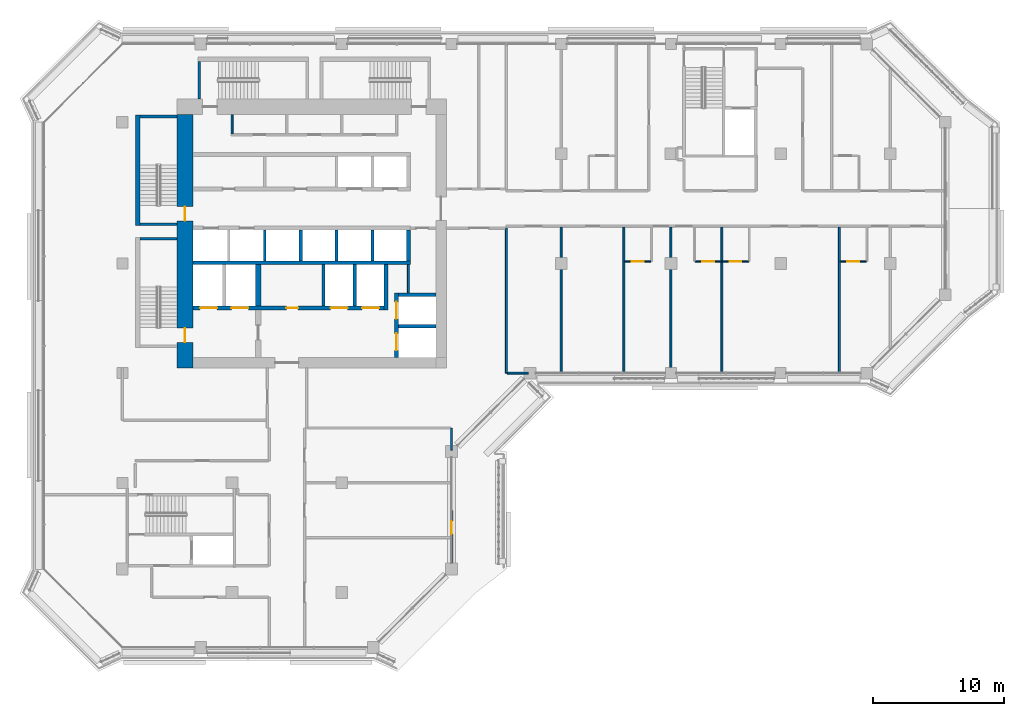
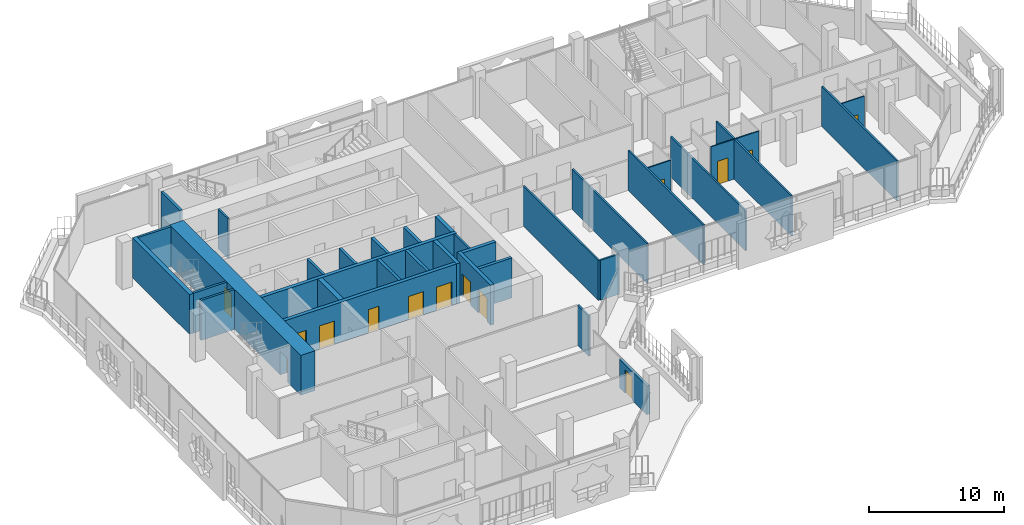
# One storey, part 11 of 22: 34 walls, 14 doors, 14 openings.
"""IFC4 building model written with IfcOpenShell, lengths in metres."""

from ifc_helpers import new_model, si_unit, direction, frame, frame_2d, origin, place, context, subcontext, project, spatial, rectangle, extrude, material, layer, layer_set, type_object, element, fill, save


model = new_model("IFC4")

# Units and contexts
model_context = context("Model", 3, precision=1e-05, world=origin(), true_north=direction((0.0, 1.0)))
body_context = subcontext(model_context, "Body", "Model", "MODEL_VIEW")
ifc_project = project(units=[si_unit("LENGTHUNIT", "METRE"), si_unit("AREAUNIT", "SQUARE_METRE"), si_unit("VOLUMEUNIT", "CUBIC_METRE"), si_unit("PLANEANGLEUNIT", "RADIAN"), si_unit("MASSUNIT", "GRAM", prefix="KILO")], contexts=[model_context])

# Site, building, storey
site_placement = place(None, origin())
site = spatial("IfcSite", under=ifc_project, at=site_placement, CompositionType="ELEMENT")
building_placement = place(site_placement, origin())
building = spatial("IfcBuilding", under=site, at=building_placement, Name="Kawkab Arch Medical Tower", CompositionType="ELEMENT")
storey_placement = place(building_placement, frame((0.0, 0.0, 251.60009765625)))
storey = spatial("IfcBuildingStorey", under=building, at=storey_placement, Name="L58", CompositionType="ELEMENT", Elevation=251.60009765625)

# Wall, openings, doors
ifc_material_1 = material(Name="Concrete C50/60", Category="concrete")
ifc_layer_1 = layer(ifc_material_1, 1.199951171875)
ifc_layer_set_1 = layer_set([ifc_layer_1], Name="Concrete C50/60")
wall_type_1 = type_object("IfcWallType", Name="Core ring wall 1200 C50/60", PredefinedType="SHEAR", material=ifc_layer_set_1)
wall_1_placement = place(storey_placement, frame((4.800048828125, -24.800048828125, 0.0), z_axis=(0.0, 0.0, 1.0), x_axis=(0.0, 1.0, 0.0)))
wall_1 = element("IfcWall", 1, at=wall_1_placement, inside=storey, type_object=wall_type_1, Name="L58 core wall", PredefinedType="SHEAR", context=body_context, shape_type="SweptSolid", body=[
    extrude(rectangle(XDim=19.400146484375, YDim=1.199951171875, at=frame_2d((9.7001953125, 0.0))), origin(), (0.0, 0.0, 1.0), 3.599853515625),
])
opening_1_placement = place(wall_1_placement, frame((11.25, 0.0, 0.0)))
opening_1 = element("IfcOpeningElement", 2, at=opening_1_placement, cuts=wall_1, Name="Opening SD", PredefinedType="OPENING", context=body_context, shape_type="SweptSolid", body=[
    extrude(rectangle(XDim=1.10009765625, YDim=2.10009765625, at=frame_2d((0.550048828125, 1.050048828125))), frame((0.0, 0.60986328125, 0.0), z_axis=(0.0, -1.0, 0.0), x_axis=(1.0, 0.0, 0.0)), (0.0, 0.0, 1.0), 1.219970703125),
])
opening_2_placement = place(wall_1_placement, frame((1.949951171875, 0.0, 0.0)))
opening_2 = element("IfcOpeningElement", 3, at=opening_2_placement, cuts=wall_1, Name="Opening SD", PredefinedType="OPENING", context=body_context, shape_type="SweptSolid", body=[
    extrude(rectangle(XDim=1.10009765625, YDim=2.10009765625, at=frame_2d((0.550048828125, 1.050048828125))), frame((0.0, 0.60986328125, 0.0), z_axis=(0.0, -1.0, 0.0), x_axis=(1.0, 0.0, 0.0)), (0.0, 0.0, 1.0), 1.219970703125),
])
ifc_material_2 = material(Name="Hollow metal fire door leaf")
door_type_1 = type_object("IfcDoorType", Name="Exit stair door 1100", OperationType="SINGLE_SWING_LEFT", PredefinedType="DOOR", material=ifc_material_2)
door_1_placement = place(opening_1_placement, origin())
door_1 = element("IfcDoor", 4, at=door_1_placement, inside=storey, type_object=door_type_1, Name="L58 Exit stair ST1 door", OperationType="SINGLE_SWING_LEFT", OverallHeight=2.10009765625, OverallWidth=1.10009765625, PredefinedType="DOOR", context=body_context, shape_type="SweptSolid", body=[
    extrude(rectangle(XDim=1.10009765625, YDim=2.10009765625, at=frame_2d((0.550048828125, 1.050048828125))), frame((0.0, 0.02490234375, 0.0), z_axis=(0.0, -1.0, 0.0), x_axis=(1.0, 0.0, 0.0)), (0.0, 0.0, 1.0), 0.050048828125),
])
fill(opening_1, door_1)
door_2_placement = place(opening_2_placement, origin())
door_2 = element("IfcDoor", 5, at=door_2_placement, inside=storey, type_object=door_type_1, Name="L58 Exit stair ST2 door", OperationType="SINGLE_SWING_LEFT", OverallHeight=2.10009765625, OverallWidth=1.10009765625, PredefinedType="DOOR", context=body_context, shape_type="SweptSolid", body=[
    extrude(rectangle(XDim=1.10009765625, YDim=2.10009765625, at=frame_2d((0.550048828125, 1.050048828125))), frame((0.0, 0.02490234375, 0.0), z_axis=(0.0, -1.0, 0.0), x_axis=(1.0, 0.0, 0.0)), (0.0, 0.0, 1.0), 0.050048828125),
])
fill(opening_2, door_2)

# Walls
ifc_material_3 = material(Name="Gypsum board on steel studs", Category="steel")
ifc_layer_2 = layer(ifc_material_3, 0.14990234375)
ifc_layer_set_2 = layer_set([ifc_layer_2], Name="Gypsum board on steel studs")
wall_type_2 = type_object("IfcWallType", Name="Core room partition 150", PredefinedType="PARTITIONING", material=ifc_layer_set_2)
wall_2_placement = place(storey_placement, frame((21.89990234375, -19.050048828125, 0.0), z_axis=(0.0, 0.0, 1.0), x_axis=(0.0, 1.0, 0.0)))
element("IfcWall", 6, at=wall_2_placement, inside=storey, type_object=wall_type_2, Name="L58 core room partition", PredefinedType="PARTITIONING", context=body_context, shape_type="SweptSolid", body=[
    extrude(rectangle(XDim=2.150146484375, YDim=0.14990234375, at=frame_2d((1.0751953125, 0.0))), origin(), (0.0, 0.0, 1.0), 3.599853515625),
])
wall_3_placement = place(storey_placement, frame((8.39990234375, -6.875, 0.0), z_axis=(0.0, 0.0, 1.0), x_axis=(0.0, 1.0, 0.0)))
element("IfcWall", 7, at=wall_3_placement, inside=storey, type_object=wall_type_2, Name="L58 core room partition", PredefinedType="PARTITIONING", context=body_context, shape_type="SweptSolid", body=[
    extrude(rectangle(XDim=1.47509765625, YDim=0.14990234375, at=frame_2d((0.737548828125, 0.0))), origin(), (0.0, 0.0, 1.0), 3.599853515625),
])
ifc_material_4 = material(Name="Concrete C60/75", Category="concrete")
ifc_layer_3 = layer(ifc_material_4, 0.25)
ifc_layer_set_3 = layer_set([ifc_layer_3], Name="Concrete C60/75")
wall_type_3 = type_object("IfcWallType", Name="Core shear wall 250 C60/75", PredefinedType="SHEAR", material=ifc_layer_set_3)
wall_4_placement = place(storey_placement, frame((21.14990234375, -21.60009765625, 0.0), z_axis=(0.0, 0.0, 1.0), x_axis=(1.0, 0.0, 0.0)))
element("IfcWall", 8, at=wall_4_placement, inside=storey, type_object=wall_type_3, Name="L58 core shear wall", PredefinedType="SHEAR", context=body_context, shape_type="SweptSolid", body=[
    extrude(rectangle(XDim=2.85009765625, YDim=0.25, at=frame_2d((1.425048828125, 0.0))), origin(), (0.0, 0.0, 1.0), 3.599853515625),
])
for number, where, z_axis, x_axis, name in (
    (9, (15.39990234375, -20.050048828125, 0.0), (0.0, 0.0, 1.0), (0.0, 1.0, 0.0), "L58 core shear wall"),
    (10, (17.800048828125, -20.050048828125, 0.0), (0.0, 0.0, 1.0), (0.0, 1.0, 0.0), "L58 core shear wall"),
):
    element("IfcWall", number, at=place(storey_placement, frame(where, z_axis=z_axis, x_axis=x_axis)), inside=storey, type_object=wall_type_3, Name=name, PredefinedType="SHEAR", context=body_context, shape_type="SweptSolid", body=[
        extrude(rectangle(XDim=3.150146484375, YDim=0.25, at=frame_2d((1.5751953125, 0.0))), origin(), (0.0, 0.0, 1.0), 3.599853515625),
    ])
for number, where, z_axis, x_axis, name in (
    (11, (13.64990234375, -16.60009765625, 0.0), (0.0, 0.0, 1.0), (0.0, 1.0, 0.0), "L58 core shear wall"),
    (12, (16.39990234375, -16.60009765625, 0.0), (0.0, 0.0, 1.0), (0.0, 1.0, 0.0), "L58 core shear wall"),
    (13, (19.14990234375, -16.60009765625, 0.0), (0.0, 0.0, 1.0), (0.0, 1.0, 0.0), "L58 core shear wall"),
):
    element("IfcWall", number, at=place(storey_placement, frame(where, z_axis=z_axis, x_axis=x_axis)), inside=storey, type_object=wall_type_3, Name=name, PredefinedType="SHEAR", context=body_context, shape_type="SweptSolid", body=[
        extrude(rectangle(XDim=2.35009765625, YDim=0.25, at=frame_2d((1.175048828125, 0.0))), origin(), (0.0, 0.0, 1.0), 3.599853515625),
    ])
ifc_material_5 = material(Name="Concrete C60/75", Category="concrete")
ifc_layer_4 = layer(ifc_material_5, 0.300048828125)
ifc_layer_set_4 = layer_set([ifc_layer_4], Name="Concrete C60/75")
wall_type_4 = type_object("IfcWallType", Name="Core shear wall 300 C60/75", PredefinedType="SHEAR", material=ifc_layer_set_4)
wall_5_placement = place(storey_placement, frame((5.39990234375, -16.75, 0.0), z_axis=(0.0, 0.0, 1.0), x_axis=(1.0, 0.0, 0.0)))
element("IfcWall", 14, at=wall_5_placement, inside=storey, type_object=wall_type_4, Name="L58 core shear wall", PredefinedType="SHEAR", context=body_context, shape_type="SweptSolid", body=[
    extrude(rectangle(XDim=16.650146484375, YDim=0.300048828125, at=frame_2d((8.3251953125, 0.0))), origin(), (0.0, 0.0, 1.0), 3.599853515625),
])

# Wall, openings, doors
wall_6_placement = place(storey_placement, frame((5.39990234375, -20.199951171875, 0.0), z_axis=(0.0, 0.0, 1.0), x_axis=(1.0, 0.0, 0.0)))
wall_6 = element("IfcWall", 15, at=wall_6_placement, inside=storey, type_object=wall_type_4, Name="L58 core shear wall", PredefinedType="SHEAR", context=body_context, shape_type="SweptSolid", body=[
    extrude(rectangle(XDim=14.650146484375, YDim=0.300048828125, at=frame_2d((7.3251953125, 0.0))), origin(), (0.0, 0.0, 1.0), 3.599853515625),
])
opening_3_placement = place(wall_6_placement, frame((10.550048828125, 0.0, 0.0)))
opening_3 = element("IfcOpeningElement", 16, at=opening_3_placement, cuts=wall_6, Name="Opening LD2", PredefinedType="OPENING", context=body_context, shape_type="SweptSolid", body=[
    extrude(rectangle(XDim=1.300048828125, YDim=2.10009765625, at=frame_2d((0.64990234375, 1.050048828125))), frame((0.0, 0.159912109375, 0.0), z_axis=(0.0, -1.0, 0.0), x_axis=(1.0, 0.0, 0.0)), (0.0, 0.0, 1.0), 0.320068359375),
])
opening_4_placement = place(wall_6_placement, frame((12.949951171875, 0.0, 0.0)))
opening_4 = element("IfcOpeningElement", 17, at=opening_4_placement, cuts=wall_6, Name="Opening LD2", PredefinedType="OPENING", context=body_context, shape_type="SweptSolid", body=[
    extrude(rectangle(XDim=1.300048828125, YDim=2.10009765625, at=frame_2d((0.64990234375, 1.050048828125))), frame((0.0, 0.159912109375, 0.0), z_axis=(0.0, -1.0, 0.0), x_axis=(1.0, 0.0, 0.0)), (0.0, 0.0, 1.0), 0.320068359375),
])
opening_5_placement = place(wall_6_placement, frame((0.550048828125, 0.0, 0.0)))
opening_5 = element("IfcOpeningElement", 18, at=opening_5_placement, cuts=wall_6, Name="Opening LD2", PredefinedType="OPENING", context=body_context, shape_type="SweptSolid", body=[
    extrude(rectangle(XDim=1.300048828125, YDim=2.10009765625, at=frame_2d((0.64990234375, 1.050048828125))), frame((0.0, 0.159912109375, 0.0), z_axis=(0.0, -1.0, 0.0), x_axis=(1.0, 0.0, 0.0)), (0.0, 0.0, 1.0), 0.320068359375),
])
opening_6_placement = place(wall_6_placement, frame((2.949951171875, 0.0, 0.0)))
opening_6 = element("IfcOpeningElement", 19, at=opening_6_placement, cuts=wall_6, Name="Opening LD2", PredefinedType="OPENING", context=body_context, shape_type="SweptSolid", body=[
    extrude(rectangle(XDim=1.300048828125, YDim=2.10009765625, at=frame_2d((0.64990234375, 1.050048828125))), frame((0.0, 0.159912109375, 0.0), z_axis=(0.0, -1.0, 0.0), x_axis=(1.0, 0.0, 0.0)), (0.0, 0.0, 1.0), 0.320068359375),
])
opening_7_placement = place(wall_6_placement, frame((7.14990234375, 0.0, 0.0)))
opening_7 = element("IfcOpeningElement", 20, at=opening_7_placement, cuts=wall_6, Name="Opening RD", PredefinedType="OPENING", context=body_context, shape_type="SweptSolid", body=[
    extrude(rectangle(XDim=0.89990234375, YDim=2.10009765625, at=frame_2d((0.449951171875, 1.050048828125))), frame((0.0, 0.159912109375, 0.0), z_axis=(0.0, -1.0, 0.0), x_axis=(1.0, 0.0, 0.0)), (0.0, 0.0, 1.0), 0.320068359375),
])
ifc_material_6 = material(Name="Hollow metal fire door leaf")
door_type_2 = type_object("IfcDoorType", Name="Core room door 900", OperationType="SINGLE_SWING_LEFT", PredefinedType="DOOR", material=ifc_material_6)
door_3_placement = place(opening_7_placement, origin())
door_3 = element("IfcDoor", 21, at=door_3_placement, inside=storey, type_object=door_type_2, Name="L58 General store door", OperationType="SINGLE_SWING_LEFT", OverallHeight=2.10009765625, OverallWidth=0.89990234375, PredefinedType="DOOR", context=body_context, shape_type="SweptSolid", body=[
    extrude(rectangle(XDim=0.89990234375, YDim=2.10009765625, at=frame_2d((0.449951171875, 1.050048828125))), frame((0.0, 0.02490234375, 0.0), z_axis=(0.0, -1.0, 0.0), x_axis=(1.0, 0.0, 0.0)), (0.0, 0.0, 1.0), 0.050048828125),
])
fill(opening_7, door_3)
ifc_material_7 = material(Name="Stainless steel lift door leaf", Category="steel")
door_type_3 = type_object("IfcDoorType", Name="Lift landing door 1300", OperationType="DOUBLE_DOOR_SLIDING", PredefinedType="DOOR", material=ifc_material_7)
door_4_placement = place(opening_3_placement, origin())
door_4 = element("IfcDoor", 22, at=door_4_placement, inside=storey, type_object=door_type_3, Name="L58 Lift landing door BD3", OperationType="DOUBLE_DOOR_SLIDING", OverallHeight=2.10009765625, OverallWidth=1.300048828125, PredefinedType="DOOR", context=body_context, shape_type="SweptSolid", body=[
    extrude(rectangle(XDim=1.300048828125, YDim=2.10009765625, at=frame_2d((0.64990234375, 1.050048828125))), frame((0.0, 0.02490234375, 0.0), z_axis=(0.0, -1.0, 0.0), x_axis=(1.0, 0.0, 0.0)), (0.0, 0.0, 1.0), 0.050048828125),
])
fill(opening_3, door_4)
door_5_placement = place(opening_4_placement, origin())
door_5 = element("IfcDoor", 23, at=door_5_placement, inside=storey, type_object=door_type_3, Name="L58 Lift landing door BD4", OperationType="DOUBLE_DOOR_SLIDING", OverallHeight=2.10009765625, OverallWidth=1.300048828125, PredefinedType="DOOR", context=body_context, shape_type="SweptSolid", body=[
    extrude(rectangle(XDim=1.300048828125, YDim=2.10009765625, at=frame_2d((0.64990234375, 1.050048828125))), frame((0.0, 0.02490234375, 0.0), z_axis=(0.0, -1.0, 0.0), x_axis=(1.0, 0.0, 0.0)), (0.0, 0.0, 1.0), 0.050048828125),
])
fill(opening_4, door_5)
door_6_placement = place(opening_5_placement, origin())
door_6 = element("IfcDoor", 24, at=door_6_placement, inside=storey, type_object=door_type_3, Name="L58 Lift landing door FL1", OperationType="DOUBLE_DOOR_SLIDING", OverallHeight=2.10009765625, OverallWidth=1.300048828125, PredefinedType="DOOR", context=body_context, shape_type="SweptSolid", body=[
    extrude(rectangle(XDim=1.300048828125, YDim=2.10009765625, at=frame_2d((0.64990234375, 1.050048828125))), frame((0.0, 0.02490234375, 0.0), z_axis=(0.0, -1.0, 0.0), x_axis=(1.0, 0.0, 0.0)), (0.0, 0.0, 1.0), 0.050048828125),
])
fill(opening_5, door_6)
door_7_placement = place(opening_6_placement, origin())
door_7 = element("IfcDoor", 25, at=door_7_placement, inside=storey, type_object=door_type_3, Name="L58 Lift landing door FL2", OperationType="DOUBLE_DOOR_SLIDING", OverallHeight=2.10009765625, OverallWidth=1.300048828125, PredefinedType="DOOR", context=body_context, shape_type="SweptSolid", body=[
    extrude(rectangle(XDim=1.300048828125, YDim=2.10009765625, at=frame_2d((0.64990234375, 1.050048828125))), frame((0.0, 0.02490234375, 0.0), z_axis=(0.0, -1.0, 0.0), x_axis=(1.0, 0.0, 0.0)), (0.0, 0.0, 1.0), 0.050048828125),
])
fill(opening_6, door_7)

# Walls
wall_7_placement = place(storey_placement, frame((20.199951171875, -20.35009765625, 0.0), z_axis=(0.0, 0.0, 1.0), x_axis=(0.0, 1.0, 0.0)))
element("IfcWall", 26, at=wall_7_placement, inside=storey, type_object=wall_type_4, Name="L58 core shear wall", PredefinedType="SHEAR", context=body_context, shape_type="SweptSolid", body=[
    extrude(rectangle(XDim=3.4501953125, YDim=0.300048828125, at=frame_2d((1.72509765625, 0.0))), origin(), (0.0, 0.0, 1.0), 3.599853515625),
])
wall_8_placement = place(storey_placement, frame((21.89990234375, -16.60009765625, 0.0), z_axis=(0.0, 0.0, 1.0), x_axis=(0.0, 1.0, 0.0)))
element("IfcWall", 27, at=wall_8_placement, inside=storey, type_object=wall_type_4, Name="L58 core shear wall", PredefinedType="SHEAR", context=body_context, shape_type="SweptSolid", body=[
    extrude(rectangle(XDim=2.35009765625, YDim=0.300048828125, at=frame_2d((1.175048828125, 0.0))), origin(), (0.0, 0.0, 1.0), 3.599853515625),
])
wall_9_placement = place(storey_placement, frame((21.14990234375, -19.199951171875, 0.0), z_axis=(0.0, 0.0, 1.0), x_axis=(1.0, 0.0, 0.0)))
element("IfcWall", 28, at=wall_9_placement, inside=storey, type_object=wall_type_4, Name="L58 core shear wall", PredefinedType="SHEAR", context=body_context, shape_type="SweptSolid", body=[
    extrude(rectangle(XDim=2.85009765625, YDim=0.300048828125, at=frame_2d((1.425048828125, 0.0))), origin(), (0.0, 0.0, 1.0), 3.599853515625),
])

# Wall, openings, doors
wall_10_placement = place(storey_placement, frame((21.0, -24.0, 0.0), z_axis=(0.0, 0.0, 1.0), x_axis=(0.0, 1.0, 0.0)))
wall_10 = element("IfcWall", 29, at=wall_10_placement, inside=storey, type_object=wall_type_4, Name="L58 core shear wall", PredefinedType="SHEAR", context=body_context, shape_type="SweptSolid", body=[
    extrude(rectangle(XDim=4.949951171875, YDim=0.300048828125, at=frame_2d((2.47509765625, 0.0))), origin(), (0.0, 0.0, 1.0), 3.599853515625),
])
opening_8_placement = place(wall_10_placement, frame((2.949951171875, 0.0, 0.0)))
opening_8 = element("IfcOpeningElement", 30, at=opening_8_placement, cuts=wall_10, Name="Opening LD2", PredefinedType="OPENING", context=body_context, shape_type="SweptSolid", body=[
    extrude(rectangle(XDim=1.300048828125, YDim=2.10009765625, at=frame_2d((0.64990234375, 1.050048828125))), frame((0.0, 0.159912109375, 0.0), z_axis=(0.0, -1.0, 0.0), x_axis=(1.0, 0.0, 0.0)), (0.0, 0.0, 1.0), 0.320068359375),
])
opening_9_placement = place(wall_10_placement, frame((0.550048828125, 0.0, 0.0)))
opening_9 = element("IfcOpeningElement", 31, at=opening_9_placement, cuts=wall_10, Name="Opening LD2", PredefinedType="OPENING", context=body_context, shape_type="SweptSolid", body=[
    extrude(rectangle(XDim=1.300048828125, YDim=2.10009765625, at=frame_2d((0.64990234375, 1.050048828125))), frame((0.0, 0.159912109375, 0.0), z_axis=(0.0, -1.0, 0.0), x_axis=(1.0, 0.0, 0.0)), (0.0, 0.0, 1.0), 0.320068359375),
])
door_8_placement = place(opening_8_placement, origin())
door_8 = element("IfcDoor", 32, at=door_8_placement, inside=storey, type_object=door_type_3, Name="L58 Lift landing door BD1", OperationType="DOUBLE_DOOR_SLIDING", OverallHeight=2.10009765625, OverallWidth=1.300048828125, PredefinedType="DOOR", context=body_context, shape_type="SweptSolid", body=[
    extrude(rectangle(XDim=1.300048828125, YDim=2.10009765625, at=frame_2d((0.64990234375, 1.050048828125))), frame((0.0, 0.02490234375, 0.0), z_axis=(0.0, -1.0, 0.0), x_axis=(1.0, 0.0, 0.0)), (0.0, 0.0, 1.0), 0.050048828125),
])
fill(opening_8, door_8)
door_9_placement = place(opening_9_placement, origin())
door_9 = element("IfcDoor", 33, at=door_9_placement, inside=storey, type_object=door_type_3, Name="L58 Lift landing door BD2", OperationType="DOUBLE_DOOR_SLIDING", OverallHeight=2.10009765625, OverallWidth=1.300048828125, PredefinedType="DOOR", context=body_context, shape_type="SweptSolid", body=[
    extrude(rectangle(XDim=1.300048828125, YDim=2.10009765625, at=frame_2d((0.64990234375, 1.050048828125))), frame((0.0, 0.02490234375, 0.0), z_axis=(0.0, -1.0, 0.0), x_axis=(1.0, 0.0, 0.0)), (0.0, 0.0, 1.0), 0.050048828125),
])
fill(opening_9, door_9)

# Wall
ifc_material_8 = material(Name="Concrete C60/75", Category="concrete")
ifc_layer_5 = layer(ifc_material_8, 0.39990234375)
ifc_layer_set_5 = layer_set([ifc_layer_5], Name="Concrete C60/75")
wall_type_5 = type_object("IfcWallType", Name="Core shear wall 400 C60/75", PredefinedType="SHEAR", material=ifc_layer_set_5)
wall_11_placement = place(storey_placement, frame((10.39990234375, -20.050048828125, 0.0), z_axis=(0.0, 0.0, 1.0), x_axis=(0.0, 1.0, 0.0)))
element("IfcWall", 34, at=wall_11_placement, inside=storey, type_object=wall_type_5, Name="L58 core shear wall", PredefinedType="SHEAR", context=body_context, shape_type="SweptSolid", body=[
    extrude(rectangle(XDim=3.150146484375, YDim=0.39990234375, at=frame_2d((1.5751953125, 0.0))), origin(), (0.0, 0.0, 1.0), 3.599853515625),
])

# Wall, opening, door
ifc_material_9 = material(Name="Bronze clad insulated wall panel")
ifc_layer_6 = layer(ifc_material_9, 0.25)
ifc_layer_set_6 = layer_set([ifc_layer_6], Name="Bronze clad insulated wall panel")
wall_type_6 = type_object("IfcWallType", Name="External wall bay 250", PredefinedType="SOLIDWALL", material=ifc_layer_set_6)
wall_12_placement = place(storey_placement, frame((25.199951171875, -39.75, 0.0), z_axis=(0.0, 0.0, 1.0), x_axis=(0.0, 1.0, 0.0)))
wall_12 = element("IfcWall", 35, at=wall_12_placement, inside=storey, type_object=wall_type_6, Name="External wall bay L58.R05.1.1", PredefinedType="SOLIDWALL", context=body_context, shape_type="SweptSolid", body=[
    extrude(rectangle(XDim=4.050048828125, YDim=0.25, at=frame_2d((2.02490234375, 0.0))), origin(), (0.0, 0.0, 1.0), 2.579833984375),
])
opening_10_placement = place(wall_12_placement, frame((2.22509765625, 0.0, 0.0)))
opening_10 = element("IfcOpeningElement", 36, at=opening_10_placement, cuts=wall_12, Name="Opening W53-701", PredefinedType="OPENING", context=body_context, shape_type="SweptSolid", body=[
    extrude(rectangle(XDim=1.0, YDim=2.10009765625, at=frame_2d((0.5, 1.050048828125))), frame((0.0, 0.135009765625, 0.0), z_axis=(0.0, -1.0, 0.0), x_axis=(1.0, 0.0, 0.0)), (0.0, 0.0, 1.0), 0.27001953125),
])
ifc_material_10 = material(Name="Bronze anodised aluminium door with tinted glass", Category="aluminium")
door_type_4 = type_object("IfcDoorType", Name="Single external door 1000 x 2100", OperationType="SINGLE_SWING_LEFT", PredefinedType="DOOR", material=ifc_material_10)
door_10_placement = place(opening_10_placement, origin())
door_10 = element("IfcDoor", 37, at=door_10_placement, inside=storey, type_object=door_type_4, Name="External door L58.R05.1.1", OperationType="SINGLE_SWING_LEFT", OverallHeight=2.10009765625, OverallWidth=1.0, PredefinedType="DOOR", context=body_context, shape_type="SweptSolid", body=[
    extrude(rectangle(XDim=1.0, YDim=2.10009765625, at=frame_2d((0.5, 1.050048828125))), frame((0.0, 0.02490234375, 0.0), z_axis=(0.0, -1.0, 0.0), x_axis=(1.0, 0.0, 0.0)), (0.0, 0.0, 1.0), 0.050048828125),
])
fill(opening_10, door_10)

# Wall
ifc_material_11 = material(Name="Dense concrete blockwork", Category="masonry")
ifc_layer_7 = layer(ifc_material_11, 0.199951171875)
ifc_layer_set_7 = layer_set([ifc_layer_7], Name="Dense concrete blockwork")
wall_type_7 = type_object("IfcWallType", Name="Lift shaft partition 200", PredefinedType="PARTITIONING", material=ifc_layer_set_7)
wall_13_placement = place(storey_placement, frame((10.89990234375, -16.60009765625, 0.0), z_axis=(0.0, 0.0, 1.0), x_axis=(0.0, 1.0, 0.0)))
element("IfcWall", 38, at=wall_13_placement, inside=storey, type_object=wall_type_7, Name="L58 lift shaft partition", PredefinedType="PARTITIONING", context=body_context, shape_type="SweptSolid", body=[
    extrude(rectangle(XDim=2.35009765625, YDim=0.199951171875, at=frame_2d((1.175048828125, 0.0))), origin(), (0.0, 0.0, 1.0), 3.599853515625),
])

# Wall, opening, door
ifc_material_12 = material(Name="Gypsum board partition on steel studs", Category="steel")
ifc_layer_8 = layer(ifc_material_12, 0.10009765625)
ifc_layer_set_8 = layer_set([ifc_layer_8], Name="Gypsum board partition on steel studs")
wall_type_8 = type_object("IfcWallType", Name="Partition 100", PredefinedType="PARTITIONING", material=ifc_layer_set_8)
wall_14_placement = place(storey_placement, frame((38.47509765625, -16.64990234375, 0.0), z_axis=(0.0, 0.0, 1.0), x_axis=(1.0, 0.0, 0.0)))
wall_14 = element("IfcWall", 39, at=wall_14_placement, inside=storey, type_object=wall_type_8, Name="Partition 100 w001", PredefinedType="PARTITIONING", context=body_context, shape_type="SweptSolid", body=[
    extrude(rectangle(XDim=1.974853515625, YDim=0.10009765625, at=frame_2d((0.9873046875, 0.0))), origin(), (0.0, 0.0, 1.0), 3.599853515625),
])
opening_11_placement = place(wall_14_placement, frame((0.52490234375, 0.0, 0.0)))
opening_11 = element("IfcOpeningElement", 40, at=opening_11_placement, cuts=wall_14, Name="Opening W53-005", PredefinedType="OPENING", context=body_context, shape_type="SweptSolid", body=[
    extrude(rectangle(XDim=0.89990234375, YDim=2.10009765625, at=frame_2d((0.449951171875, 1.050048828125))), frame((0.0, 0.06005859375, 0.0), z_axis=(0.0, -1.0, 0.0), x_axis=(1.0, 0.0, 0.0)), (0.0, 0.0, 1.0), 0.1201171875),
])
ifc_material_13 = material(Name="Timber door leaf", Category="wood")
door_type_5 = type_object("IfcDoorType", Name="Single door 900x2100", OperationType="NOTDEFINED", PredefinedType="DOOR", material=ifc_material_13)
door_11_placement = place(opening_11_placement, origin())
door_11 = element("IfcDoor", 41, at=door_11_placement, inside=storey, type_object=door_type_5, Name="Door W53-005", OperationType="SINGLE_SWING_LEFT", OverallHeight=2.10009765625, OverallWidth=0.89990234375, PredefinedType="DOOR", context=body_context, shape_type="SweptSolid", body=[
    extrude(rectangle(XDim=0.89990234375, YDim=2.10009765625, at=frame_2d((0.449951171875, 1.050048828125))), frame((0.0, 0.02490234375, 0.0), z_axis=(0.0, -1.0, 0.0), x_axis=(1.0, 0.0, 0.0)), (0.0, 0.0, 1.0), 0.050048828125),
])
fill(opening_11, door_11)

# Wall, openings, doors
wall_15_placement = place(storey_placement, frame((43.85009765625, -16.64990234375, 0.0), z_axis=(0.0, 0.0, 1.0), x_axis=(1.0, 0.0, 0.0)))
wall_15 = element("IfcWall", 42, at=wall_15_placement, inside=storey, type_object=wall_type_8, Name="Partition 100 w002", PredefinedType="PARTITIONING", context=body_context, shape_type="SweptSolid", body=[
    extrude(rectangle(XDim=4.099853515625, YDim=0.10009765625, at=frame_2d((2.0498046875, 0.0))), origin(), (0.0, 0.0, 1.0), 3.599853515625),
])
opening_12_placement = place(wall_15_placement, frame((0.550048828125, 0.0, 0.0)))
opening_12 = element("IfcOpeningElement", 43, at=opening_12_placement, cuts=wall_15, Name="Opening W53-006", PredefinedType="OPENING", context=body_context, shape_type="SweptSolid", body=[
    extrude(rectangle(XDim=0.89990234375, YDim=2.10009765625, at=frame_2d((0.449951171875, 1.050048828125))), frame((0.0, 0.06005859375, 0.0), z_axis=(0.0, -1.0, 0.0), x_axis=(1.0, 0.0, 0.0)), (0.0, 0.0, 1.0), 0.1201171875),
])
opening_13_placement = place(wall_15_placement, frame((2.64990234375, 0.0, 0.0)))
opening_13 = element("IfcOpeningElement", 44, at=opening_13_placement, cuts=wall_15, Name="Opening W53-007", PredefinedType="OPENING", context=body_context, shape_type="SweptSolid", body=[
    extrude(rectangle(XDim=0.89990234375, YDim=2.10009765625, at=frame_2d((0.449951171875, 1.050048828125))), frame((0.0, 0.06005859375, 0.0), z_axis=(0.0, -1.0, 0.0), x_axis=(1.0, 0.0, 0.0)), (0.0, 0.0, 1.0), 0.1201171875),
])
door_12_placement = place(opening_12_placement, origin())
door_12 = element("IfcDoor", 45, at=door_12_placement, inside=storey, type_object=door_type_5, Name="Door W53-006", OperationType="SINGLE_SWING_RIGHT", OverallHeight=2.10009765625, OverallWidth=0.89990234375, PredefinedType="DOOR", context=body_context, shape_type="SweptSolid", body=[
    extrude(rectangle(XDim=0.89990234375, YDim=2.10009765625, at=frame_2d((0.449951171875, 1.050048828125))), frame((0.0, 0.02490234375, 0.0), z_axis=(0.0, -1.0, 0.0), x_axis=(1.0, 0.0, 0.0)), (0.0, 0.0, 1.0), 0.050048828125),
])
fill(opening_12, door_12)
door_13_placement = place(opening_13_placement, origin())
door_13 = element("IfcDoor", 46, at=door_13_placement, inside=storey, type_object=door_type_5, Name="Door W53-007", OperationType="SINGLE_SWING_LEFT", OverallHeight=2.10009765625, OverallWidth=0.89990234375, PredefinedType="DOOR", context=body_context, shape_type="SweptSolid", body=[
    extrude(rectangle(XDim=0.89990234375, YDim=2.10009765625, at=frame_2d((0.449951171875, 1.050048828125))), frame((0.0, 0.02490234375, 0.0), z_axis=(0.0, -1.0, 0.0), x_axis=(1.0, 0.0, 0.0)), (0.0, 0.0, 1.0), 0.050048828125),
])
fill(opening_13, door_13)

# Wall, opening, door
wall_16_placement = place(storey_placement, frame((54.97509765625, -16.64990234375, 0.0), z_axis=(0.0, 0.0, 1.0), x_axis=(1.0, 0.0, 0.0)))
wall_16 = element("IfcWall", 47, at=wall_16_placement, inside=storey, type_object=wall_type_8, Name="Partition 100 w003", PredefinedType="PARTITIONING", context=body_context, shape_type="SweptSolid", body=[
    extrude(rectangle(XDim=1.974853515625, YDim=0.10009765625, at=frame_2d((0.9873046875, 0.0))), origin(), (0.0, 0.0, 1.0), 3.599853515625),
])
opening_14_placement = place(wall_16_placement, frame((0.52490234375, 0.0, 0.0)))
opening_14 = element("IfcOpeningElement", 48, at=opening_14_placement, cuts=wall_16, Name="Opening W53-008", PredefinedType="OPENING", context=body_context, shape_type="SweptSolid", body=[
    extrude(rectangle(XDim=0.89990234375, YDim=2.10009765625, at=frame_2d((0.449951171875, 1.050048828125))), frame((0.0, 0.06005859375, 0.0), z_axis=(0.0, -1.0, 0.0), x_axis=(1.0, 0.0, 0.0)), (0.0, 0.0, 1.0), 0.1201171875),
])
door_14_placement = place(opening_14_placement, origin())
door_14 = element("IfcDoor", 49, at=door_14_placement, inside=storey, type_object=door_type_5, Name="Door W53-008", OperationType="SINGLE_SWING_RIGHT", OverallHeight=2.10009765625, OverallWidth=0.89990234375, PredefinedType="DOOR", context=body_context, shape_type="SweptSolid", body=[
    extrude(rectangle(XDim=0.89990234375, YDim=2.10009765625, at=frame_2d((0.449951171875, 1.050048828125))), frame((0.0, 0.02490234375, 0.0), z_axis=(0.0, -1.0, 0.0), x_axis=(1.0, 0.0, 0.0)), (0.0, 0.0, 1.0), 0.050048828125),
])
fill(opening_14, door_14)

# Walls
ifc_material_14 = material(Name="Gypsum board partition on steel studs, mineral wool", Category="steel")
ifc_layer_9 = layer(ifc_material_14, 0.14990234375)
ifc_layer_set_9 = layer_set([ifc_layer_9], Name="Gypsum board partition on steel studs, mineral wool")
wall_type_9 = type_object("IfcWallType", Name="Partition 150", PredefinedType="PARTITIONING", material=ifc_layer_set_9)
wall_17_placement = place(storey_placement, frame((29.47509765625, -25.199951171875, 0.0), z_axis=(0.0, 0.0, 1.0), x_axis=(1.0, 0.0, 0.0)))
element("IfcWall", 50, at=wall_17_placement, inside=storey, type_object=wall_type_9, Name="Partition 150 w021", PredefinedType="PARTITIONING", context=body_context, shape_type="SweptSolid", body=[
    extrude(rectangle(XDim=1.61181640625, YDim=0.14990234375, at=frame_2d((0.805908203125, 0.0))), origin(), (0.0, 0.0, 1.0), 3.599853515625),
])
wall_18_placement = place(storey_placement, frame((25.199951171875, -31.0869140625, 0.0), z_axis=(0.0, 0.0, 1.0), x_axis=(0.0, 1.0, 0.0)))
element("IfcWall", 51, at=wall_18_placement, inside=storey, type_object=wall_type_9, Name="Partition 150 w042", PredefinedType="PARTITIONING", context=body_context, shape_type="SweptSolid", body=[
    extrude(rectangle(XDim=1.68701171875, YDim=0.14990234375, at=frame_2d((0.843505859375, 0.0))), origin(), (0.0, 0.0, 1.0), 3.599853515625),
])
wall_19_placement = place(storey_placement, frame((29.39990234375, -25.199951171875, 0.0), z_axis=(0.0, 0.0, 1.0), x_axis=(0.0, 1.0, 0.0)))
element("IfcWall", 52, at=wall_19_placement, inside=storey, type_object=wall_type_9, Name="Partition 150 w044", PredefinedType="PARTITIONING", context=body_context, shape_type="SweptSolid", body=[
    extrude(rectangle(XDim=11.099853515625, YDim=0.14990234375, at=frame_2d((5.5498046875, 0.0))), origin(), (0.0, 0.0, 1.0), 3.599853515625),
])
for number, where, z_axis, x_axis, name in (
    (53, (33.60009765625, -25.1201171875, 0.0), (0.0, 0.0, 1.0), (0.0, 1.0, 0.0), "Partition 150 w046"),
    (54, (38.39990234375, -25.1201171875, 0.0), (0.0, 0.0, 1.0), (0.0, 1.0, 0.0), "Partition 150 w049"),
    (55, (42.0, -25.1201171875, 0.0), (0.0, 0.0, 1.0), (0.0, 1.0, 0.0), "Partition 150 w051"),
    (56, (45.89990234375, -25.1201171875, 0.0), (0.0, 0.0, 1.0), (0.0, 1.0, 0.0), "Partition 150 w055"),
    (57, (54.89990234375, -25.1201171875, 0.0), (0.0, 0.0, 1.0), (0.0, 1.0, 0.0), "Partition 150 w059"),
):
    element("IfcWall", number, at=place(storey_placement, frame(where, z_axis=z_axis, x_axis=x_axis)), inside=storey, type_object=wall_type_9, Name=name, PredefinedType="PARTITIONING", context=body_context, shape_type="SweptSolid", body=[
        extrude(rectangle(XDim=11.09521484375, YDim=0.14990234375, at=frame_2d((5.547607421875, 0.0))), origin(), (0.0, 0.0, 1.0), 3.599853515625),
    ])
ifc_material_15 = material(Name="Concrete C50/60", Category="concrete")
ifc_layer_10 = layer(ifc_material_15, 0.199951171875)
ifc_layer_set_10 = layer_set([ifc_layer_10], Name="Concrete C50/60")
wall_type_10 = type_object("IfcWallType", Name="Stair enclosure wall 200 C50/60", PredefinedType="SHEAR", material=ifc_layer_set_10)
for number, where, z_axis, x_axis, name in (
    (58, (1.35009765625, -5.550048828125, 0.0), (0.0, 0.0, 1.0), (1.0, 0.0, 0.0), "L58 stair enclosure wall"),
    (59, (1.35009765625, -13.800048828125, 0.0), (0.0, 0.0, 1.0), (1.0, 0.0, 0.0), "L58 stair enclosure wall"),
    (60, (1.35009765625, -14.89990234375, 0.0), (0.0, 0.0, 1.0), (1.0, 0.0, 0.0), "L58 stair enclosure wall"),
    (61, (5.89990234375, -4.199951171875, 0.0), (0.0, 0.0, 1.0), (0.0, 1.0, 0.0), "L58 stair enclosure wall"),
):
    element("IfcWall", number, at=place(storey_placement, frame(where, z_axis=z_axis, x_axis=x_axis)), inside=storey, type_object=wall_type_10, Name=name, PredefinedType="SHEAR", context=body_context, shape_type="SweptSolid", body=[
        extrude(rectangle(XDim=2.849853515625, YDim=0.199951171875, at=frame_2d((1.4248046875, 0.0))), origin(), (0.0, 0.0, 1.0), 3.599853515625),
    ])
ifc_material_16 = material(Name="Concrete C50/60", Category="concrete")
ifc_layer_11 = layer(ifc_material_16, 0.35009765625)
ifc_layer_set_11 = layer_set([ifc_layer_11], Name="Concrete C50/60")
wall_type_11 = type_object("IfcWallType", Name="Stair enclosure wall 350 C50/60", PredefinedType="SHEAR", material=ifc_layer_set_11)
wall_20_placement = place(storey_placement, frame((1.175048828125, -13.89990234375, 0.0), z_axis=(0.0, 0.0, 1.0), x_axis=(0.0, 1.0, 0.0)))
element("IfcWall", 62, at=wall_20_placement, inside=storey, type_object=wall_type_11, Name="L58 stair enclosure wall", PredefinedType="SHEAR", context=body_context, shape_type="SweptSolid", body=[
    extrude(rectangle(XDim=8.449951171875, YDim=0.35009765625, at=frame_2d((4.22509765625, 0.0))), origin(), (0.0, 0.0, 1.0), 3.599853515625),
])

save(model, "model.ifc")
